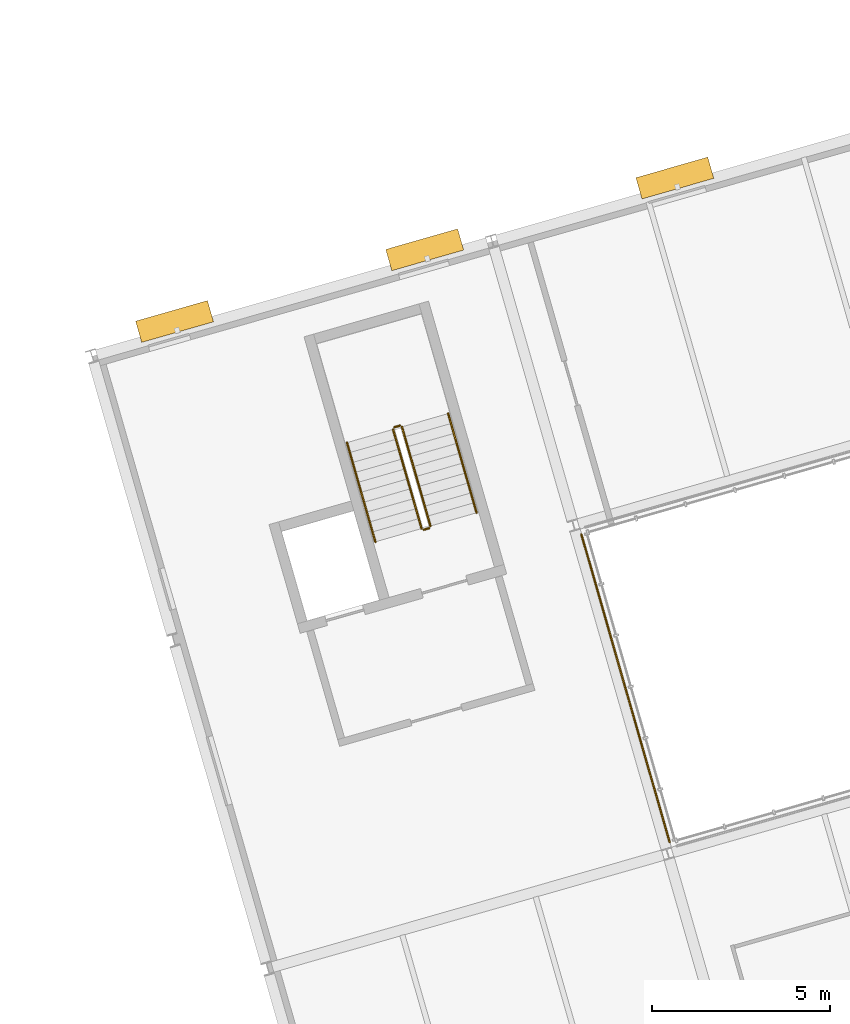
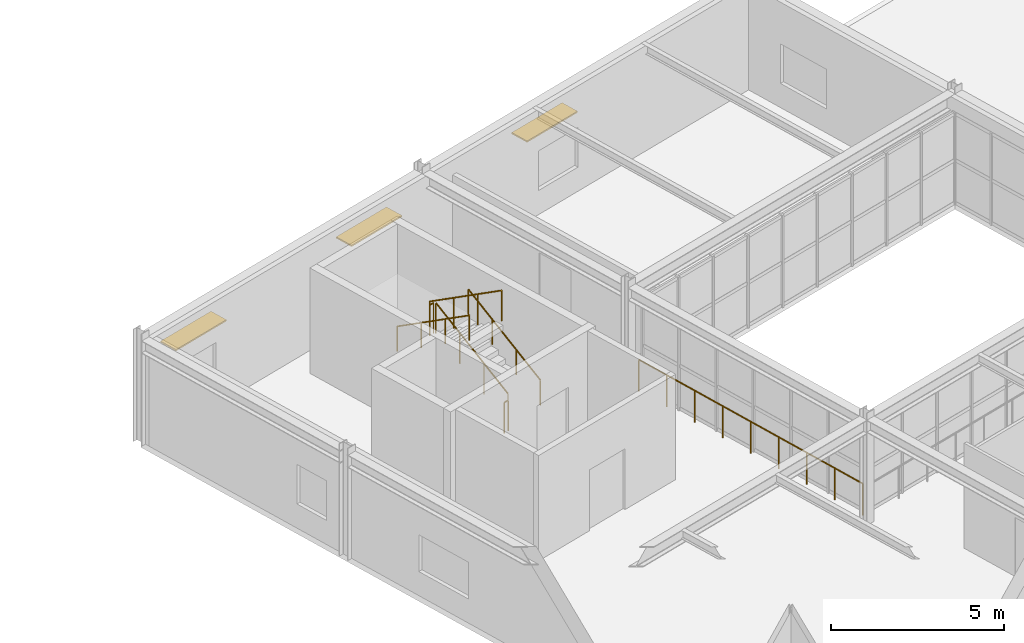
# One storey, part 40 of 44: 7 railings, 3 shading devices.
"""IFC4 building model written with IfcOpenShell, lengths in metres."""

import ifcopenshell
import ifcopenshell.guid

model = None  # the IFC model being written
_history = None  # IfcOwnerHistory: only IFC2X3 demands one
_inside = {}  # id of a spatial element -> (the spatial element, [elements in it])
_under = {}  # id of a project, library or spatial element -> (it, [spatial elements below it])
_declared = {}  # id of a project -> (the project, [libraries it declares])
_typed = {}  # id of a type object -> (the type object, [elements of that type])
_made_of = {}  # id of a material, layer set ... -> (it, [elements and type objects made of it])


def new_model(schema):
    """Start an empty IFC model of exactly this schema.

    Asked for "IFC4X3", IfcOpenShell would pick the latest addendum, in which some entities
    have other attributes; the version numbers below select the first issue.
    IFC2X3 requires an IfcOwnerHistory on every rooted entity: one is made here for all.
    """
    global model, _history
    if schema == "IFC4X3":
        model = ifcopenshell.file(schema_version=(4, 3, 0, 0))
    else:
        model = ifcopenshell.file(schema=schema)
    _inside.clear()
    _under.clear()
    _declared.clear()
    _typed.clear()
    _made_of.clear()
    _history = None
    if model.schema == "IFC2X3":
        org = make("IfcOrganization", Name="unknown")
        user = make(
            "IfcPersonAndOrganization",
            ThePerson=make("IfcPerson", FamilyName="unknown"),
            TheOrganization=org,
        )
        app = make(
            "IfcApplication",
            ApplicationDeveloper=org,
            Version="unknown",
            ApplicationFullName="unknown",
            ApplicationIdentifier="unknown",
        )
        _history = make(
            "IfcOwnerHistory",
            OwningUser=user,
            OwningApplication=app,
            ChangeAction="ADDED",
            CreationDate=0,
        )
    return model


def make(cls, **values):
    """One entity of the class cls with the attributes given. An attribute that is None is left unset."""
    return model.create_entity(
        cls, **{name: value for name, value in values.items() if value is not None}
    )


def rooted(cls, **values):
    """An entity with a GlobalId (a new one), such as an element, a storey or a relation."""
    return make(cls, GlobalId=ifcopenshell.guid.new(), OwnerHistory=_history, **values)


def si_unit(unit_type, name, prefix=None):
    """IfcSIUnit, for example si_unit("LENGTHUNIT", "METRE", prefix="MILLI")."""
    return make("IfcSIUnit", UnitType=unit_type, Prefix=prefix, Name=name)


def assignment(units):
    """IfcUnitAssignment: the units of a project."""
    return None if units is None else make("IfcUnitAssignment", Units=units)


def point(xyz):
    """IfcCartesianPoint."""
    return None if xyz is None else make("IfcCartesianPoint", Coordinates=xyz)


def direction(xyz):
    """IfcDirection."""
    return None if xyz is None else make("IfcDirection", DirectionRatios=xyz)


def frame(location, z_axis=None, x_axis=None):
    """IfcAxis2Placement3D, a coordinate frame: its origin and axes. An axis left out is left unset."""
    return make(
        "IfcAxis2Placement3D",
        Location=point(location),
        Axis=direction(z_axis),
        RefDirection=direction(x_axis),
    )


def frame_2d(location, x_axis=None):
    """IfcAxis2Placement2D, a coordinate frame in the plane: its origin and x axis."""
    return make(
        "IfcAxis2Placement2D", Location=point(location), RefDirection=direction(x_axis)
    )


def origin():
    """The frame at (0, 0, 0) with its axes left unset."""
    return frame((0.0, 0.0, 0.0))


def origin_2d():
    """The frame at (0, 0) in the plane with its x axis left unset."""
    return frame_2d((0.0, 0.0))


def place(relative_to, where):
    """IfcLocalPlacement: puts the frame where relative to a parent placement (None: the world)."""
    return make(
        "IfcLocalPlacement", PlacementRelTo=relative_to, RelativePlacement=where
    )


def context(
    kind, dimensions, precision=None, world=None, true_north=None, identifier=None
):
    """IfcGeometricRepresentationContext, for example the 3D "Model" context."""
    return make(
        "IfcGeometricRepresentationContext",
        ContextIdentifier=identifier,
        ContextType=kind,
        CoordinateSpaceDimension=dimensions,
        Precision=precision,
        WorldCoordinateSystem=world,
        TrueNorth=true_north,
    )


def subcontext(parent, identifier, kind, view, scale=None):
    """IfcGeometricRepresentationSubContext, for example "Body" below "Model"."""
    return make(
        "IfcGeometricRepresentationSubContext",
        ContextIdentifier=identifier,
        ContextType=kind,
        ParentContext=parent,
        TargetScale=scale,
        TargetView=view,
    )


def project(units=None, contexts=None):
    """IfcProject with its units and contexts."""
    return rooted(
        "IfcProject",
        Name="project",
        RepresentationContexts=contexts,
        UnitsInContext=assignment(units),
    )


def spatial(cls, under=None, at=None, **own):
    """A site, building, storey or space (cls), placed at a placement, below another one or the project."""
    s = rooted(cls, ObjectPlacement=at, **own)
    if under is not None:
        _under.setdefault(under.id(), (under, []))[1].append(s)
    return s


def profile(cls, at=None, kind="AREA", **sizes):
    """A parametric profile (cls). Its sizes go by their IFC names, for example OverallWidth=200.0."""
    return make(cls, ProfileType=kind, Position=at, **sizes)


def rectangle(**sizes):
    """IfcRectangleProfileDef."""
    return profile("IfcRectangleProfileDef", **sizes)


def circle(**sizes):
    """IfcCircleProfileDef."""
    return profile("IfcCircleProfileDef", **sizes)


def extrude(swept, where, along, depth):
    """IfcExtrudedAreaSolid: the profile swept, set in the frame where, extruded along a direction by depth."""
    return make(
        "IfcExtrudedAreaSolid",
        SweptArea=swept,
        Position=where,
        ExtrudedDirection=direction(along),
        Depth=depth,
    )


def shape(context_of_items, identifier, shape_type, items):
    """IfcShapeRepresentation: the items that make up one representation, for example the "Body"."""
    return make(
        "IfcShapeRepresentation",
        ContextOfItems=context_of_items,
        RepresentationIdentifier=identifier,
        RepresentationType=shape_type,
        Items=items,
    )


def material(Name=None, Category=None):
    """IfcMaterial."""
    return make("IfcMaterial", Name=Name, Category=Category)


def layer(
    of_material, thickness, ventilated=None, Name=None, Category=None, Priority=None
):
    """IfcMaterialLayer: one layer of a wall or slab, of a material (None: an air gap)."""
    return make(
        "IfcMaterialLayer",
        Material=of_material,
        LayerThickness=thickness,
        IsVentilated=ventilated,
        Name=Name,
        Category=Category,
        Priority=Priority,
    )


def layer_set(layers, Name=None):
    """IfcMaterialLayerSet."""
    return make("IfcMaterialLayerSet", MaterialLayers=layers, LayerSetName=Name)


def made_of(thing, what):
    """Note that an element or type object is made of a material, layer set ...; save() writes the relation."""
    if what is not None:
        _made_of.setdefault(what.id(), (what, []))[1].append(thing)
    return thing


def type_object(cls, material=None, **own):
    """A type object (cls), such as IfcWallType, which elements share."""
    return made_of(rooted(cls, **own), material)


def element(
    cls,
    number,
    at=None,
    inside=None,
    cuts=None,
    type_object=None,
    material=None,
    context=None,
    identifier="Body",
    shape_type=None,
    held_by="IfcProductDefinitionShape",
    body=None,
    shapes=None,
    **own,
):
    """One element of the class cls, such as IfcWall. Its Tag is "e" and its number.

    at: its placement. inside: the storey or other place that contains it. cuts: it is an
    opening in that element (IfcRelVoidsElement). A single representation is given by context,
    identifier, shape_type and body (its items); several are given by shapes. held_by: the class
    of the entity that holds the representations. save() writes the other relations.
    """
    e = rooted(cls, Tag="e%d" % number, ObjectPlacement=at, **own)
    if body is not None:
        shapes = [shape(context, identifier, shape_type, body)]
    if shapes is not None:
        e.Representation = make(held_by, Representations=shapes)
    if inside is not None:
        _inside.setdefault(inside.id(), (inside, []))[1].append(e)
    if cuts is not None:
        rooted(
            "IfcRelVoidsElement", RelatingBuildingElement=cuts, RelatedOpeningElement=e
        )
    if type_object is not None:
        _typed.setdefault(type_object.id(), (type_object, []))[1].append(e)
    return made_of(e, material)


def aggregate(whole, parts):
    """IfcRelAggregates: a whole, such as a stair, and the parts it consists of."""
    return rooted("IfcRelAggregates", RelatingObject=whole, RelatedObjects=parts)


def save(model, path):
    """Write the relations noted so far, then the file.

    IfcRelAggregates (storeys below a building ...), IfcRelContainedInSpatialStructure (elements
    in a storey), IfcRelDefinesByType, IfcRelAssociatesMaterial and IfcRelDeclares: one each for
    every whole, place, type object, material and project.
    """
    for whole, parts in _under.values():
        aggregate(whole, parts)
    for where, things in _inside.values():
        rooted(
            "IfcRelContainedInSpatialStructure",
            RelatedElements=things,
            RelatingStructure=where,
        )
    for kind, things in _typed.values():
        rooted("IfcRelDefinesByType", RelatedObjects=things, RelatingType=kind)
    for what, things in _made_of.values():
        rooted("IfcRelAssociatesMaterial", RelatedObjects=things, RelatingMaterial=what)
    for by, libraries in _declared.values():
        rooted("IfcRelDeclares", RelatingContext=by, RelatedDefinitions=libraries)
    model.write(path)


model = new_model("IFC4")

# Units and contexts
model_context = context("Model", 3, precision=1e-05, world=origin(), true_north=direction((0.0, 1.0)))
body_context = subcontext(model_context, "Body", "Model", "MODEL_VIEW")
ifc_project = project(units=[si_unit("LENGTHUNIT", "METRE"), si_unit("AREAUNIT", "SQUARE_METRE"), si_unit("VOLUMEUNIT", "CUBIC_METRE"), si_unit("PLANEANGLEUNIT", "RADIAN"), si_unit("MASSUNIT", "GRAM", prefix="KILO")], contexts=[model_context])

# Site, building, storey
site_placement = place(None, origin())
site = spatial("IfcSite", under=ifc_project, at=site_placement, CompositionType="ELEMENT")
building_placement = place(site_placement, origin())
building = spatial("IfcBuilding", under=site, at=building_placement, Name="Varnklinge Art Gallery", CompositionType="ELEMENT")
storey_placement = place(building_placement, frame((0.0, 0.0, 13.679931640625)))
storey = spatial("IfcBuildingStorey", under=building, at=storey_placement, Name="L03", CompositionType="ELEMENT", Elevation=13.679931640625)

# Railings
ifc_material_1 = material(Name="Anodised Aluminium", Category="aluminium")
railing_type_1 = type_object("IfcRailingType", Name="BAL-01", PredefinedType="BALUSTRADE", material=ifc_material_1)
railing_1_placement = place(storey_placement, frame((133.83837890625, 21.338623046875, 0.0)))
element("IfcRailing", 1, at=railing_1_placement, inside=storey, type_object=railing_type_1, Name="BAL-V6C-L03-4", PredefinedType="BALUSTRADE", context=body_context, shape_type="SweptSolid", body=[
    extrude(circle(Radius=0.02392578125, at=origin_2d()), frame((0.0, 0.0, 1.11572265625), z_axis=(-0.275634611374, 0.96126248289, 0.0), x_axis=(-0.96126248289, -0.275634611374, 0.0)), (0.0, 0.0, 1.0), 9.0),
    extrude(circle(Radius=0.02099609375, at=origin_2d()), origin(), (0.0, 0.0, 1.0), 1.091796875),
    extrude(circle(Radius=0.02099609375, at=origin_2d()), frame((-0.31005859375, 1.08154296875, 0.0)), (0.0, 0.0, 1.0), 1.091796875),
    extrude(circle(Radius=0.02099609375, at=origin_2d()), frame((-0.6201171875, 2.162841796875, 0.0)), (0.0, 0.0, 1.0), 1.091796875),
    extrude(circle(Radius=0.02099609375, at=origin_2d()), frame((-0.93017578125, 3.244140625, 0.0)), (0.0, 0.0, 1.0), 1.091796875),
    extrude(circle(Radius=0.02099609375, at=origin_2d()), frame((-1.240234375, 4.32568359375, 0.0)), (0.0, 0.0, 1.0), 1.091796875),
    extrude(circle(Radius=0.02099609375, at=origin_2d()), frame((-1.550537109375, 5.4072265625, 0.0)), (0.0, 0.0, 1.0), 1.091796875),
    extrude(circle(Radius=0.02099609375, at=origin_2d()), frame((-1.860595703125, 6.488525390625, 0.0)), (0.0, 0.0, 1.0), 1.091796875),
    extrude(circle(Radius=0.02099609375, at=origin_2d()), frame((-2.170654296875, 7.56982421875, 0.0)), (0.0, 0.0, 1.0), 1.091796875),
    extrude(circle(Radius=0.02099609375, at=origin_2d()), frame((-2.480712890625, 8.6513671875, 0.0)), (0.0, 0.0, 1.0), 1.091796875),
])
ifc_material_2 = material(Name="Steel S355", Category="steel")
railing_type_2 = type_object("IfcRailingType", Name="GR-INT", PredefinedType="GUARDRAIL", material=ifc_material_2)
railing_2_placement = place(storey_placement, frame((127.11669921875, 30.222412109375, 0.18017578125)))
element("IfcRailing", 2, at=railing_2_placement, inside=storey, type_object=railing_type_2, Name="L03 ST-05 stair guard 1", PredefinedType="GUARDRAIL", context=body_context, shape_type="SweptSolid", body=[
    extrude(circle(Radius=0.02392578125, at=origin_2d()), frame((0.0, 0.0, 1.076171875), z_axis=(-0.23419422844, 0.816747006821, 0.527330437405), x_axis=(-0.961263007877, -0.275632780503, 0.0)), (0.0, 0.0, 1.0), 3.4130859375),
    extrude(circle(Radius=0.02099609375, at=origin_2d()), origin(), (0.0, 0.0, 1.0), 1.052001953125),
    extrude(circle(Radius=0.02099609375, at=origin_2d()), frame((-0.266357421875, 0.92919921875, 0.599853515625)), (0.0, 0.0, 1.0), 1.052001953125),
    extrude(circle(Radius=0.02099609375, at=origin_2d()), frame((-0.532958984375, 1.8583984375, 1.199951171875)), (0.0, 0.0, 1.0), 1.052001953125),
    extrude(circle(Radius=0.02099609375, at=origin_2d()), frame((-0.79931640625, 2.78759765625, 1.7998046875)), (0.0, 0.0, 1.0), 1.052001953125),
])
railing_3_placement = place(storey_placement, frame((126.255615234375, 33.044189453125, 1.97998046875)))
element("IfcRailing", 3, at=railing_3_placement, inside=storey, type_object=railing_type_2, Name="L03 ST-05 stair guard 2", PredefinedType="GUARDRAIL", context=body_context, shape_type="SweptSolid", body=[
    extrude(circle(Radius=0.02392578125, at=origin_2d()), frame((0.0, 0.0, 1.076171875), z_axis=(-0.961523947641, -0.274721127897, 0.0), x_axis=(0.274721127897, -0.961523947641, 0.0)), (0.0, 0.0, 1.0), 0.159912109375),
    extrude(circle(Radius=0.02099609375, at=origin_2d()), origin(), (0.0, 0.0, 1.0), 1.052001953125),
    extrude(circle(Radius=0.02099609375, at=origin_2d()), frame((-0.15380859375, -0.0439453125, 0.0)), (0.0, 0.0, 1.0), 1.052001953125),
])
railing_4_placement = place(storey_placement, frame((126.067626953125, 32.938232421875, 2.16015625)))
element("IfcRailing", 4, at=railing_4_placement, inside=storey, type_object=railing_type_2, Name="L03 ST-05 stair guard 3", PredefinedType="GUARDRAIL", context=body_context, shape_type="SweptSolid", body=[
    extrude(circle(Radius=0.02392578125, at=origin_2d()), frame((0.0, 0.0, 1.076171875), z_axis=(0.23419422844, -0.816747006821, 0.527330437405), x_axis=(0.961263007877, 0.275632780503, 0.0)), (0.0, 0.0, 1.0), 3.4130859375),
    extrude(circle(Radius=0.02099609375, at=origin_2d()), origin(), (0.0, 0.0, 1.0), 1.052001953125),
    extrude(circle(Radius=0.02099609375, at=origin_2d()), frame((0.266357421875, -0.92919921875, 0.599853515625)), (0.0, 0.0, 1.0), 1.052001953125),
    extrude(circle(Radius=0.02099609375, at=origin_2d()), frame((0.532958984375, -1.8583984375, 1.199951171875)), (0.0, 0.0, 1.0), 1.052001953125),
    extrude(circle(Radius=0.02099609375, at=origin_2d()), frame((0.79931640625, -2.78759765625, 1.7998046875)), (0.0, 0.0, 1.0), 1.052001953125),
])
railing_5_placement = place(storey_placement, frame((127.08251953125, 30.160400390625, 0.0)))
element("IfcRailing", 5, at=railing_5_placement, inside=storey, type_object=railing_type_2, Name="L03 ST-05 stair guard 4", PredefinedType="GUARDRAIL", context=body_context, shape_type="SweptSolid", body=[
    extrude(circle(Radius=0.02392578125, at=origin_2d()), frame((0.0, 0.0, 1.076171875), z_axis=(-0.961523947641, -0.274721127897, 0.0), x_axis=(0.274721127897, -0.961523947641, 0.0)), (0.0, 0.0, 1.0), 0.159912109375),
    extrude(circle(Radius=0.02099609375, at=origin_2d()), origin(), (0.0, 0.0, 1.0), 1.052001953125),
    extrude(circle(Radius=0.02099609375, at=origin_2d()), frame((-0.15380859375, -0.0439453125, 0.0)), (0.0, 0.0, 1.0), 1.052001953125),
])
ifc_material_3 = material(Name="Steel S355", Category="steel")
railing_type_3 = type_object("IfcRailingType", Name="HR-01", PredefinedType="HANDRAIL", material=ifc_material_3)
railing_6_placement = place(storey_placement, frame((128.41455078125, 30.594482421875, 0.18017578125)))
element("IfcRailing", 6, at=railing_6_placement, inside=storey, type_object=railing_type_3, Name="L03 ST-05 stair handrail 1", PredefinedType="HANDRAIL", context=body_context, shape_type="SweptSolid", body=[
    extrude(circle(Radius=0.02392578125, at=origin_2d()), frame((0.0, 0.0, 0.8759765625), z_axis=(-0.23419422844, 0.816747006821, 0.527330437405), x_axis=(-0.961263007877, -0.275632780503, 0.0)), (0.0, 0.0, 1.0), 3.4130859375),
    extrude(circle(Radius=0.02099609375, at=origin_2d()), origin(), (0.0, 0.0, 1.0), 0.851806640625),
    extrude(circle(Radius=0.02099609375, at=origin_2d()), frame((-0.266357421875, 0.92919921875, 0.599853515625)), (0.0, 0.0, 1.0), 0.851806640625),
    extrude(circle(Radius=0.02099609375, at=origin_2d()), frame((-0.532958984375, 1.8583984375, 1.199951171875)), (0.0, 0.0, 1.0), 0.851806640625),
    extrude(circle(Radius=0.02099609375, at=origin_2d()), frame((-0.79931640625, 2.78759765625, 1.7998046875)), (0.0, 0.0, 1.0), 0.851806640625),
])
railing_7_placement = place(storey_placement, frame((124.769775390625, 32.566162109375, 2.16015625)))
element("IfcRailing", 7, at=railing_7_placement, inside=storey, type_object=railing_type_3, Name="L03 ST-05 stair handrail 2", PredefinedType="HANDRAIL", context=body_context, shape_type="SweptSolid", body=[
    extrude(circle(Radius=0.02392578125, at=origin_2d()), frame((0.0, 0.0, 0.8759765625), z_axis=(0.23419422844, -0.816747006821, 0.527330437405), x_axis=(0.961263007877, 0.275632780503, 0.0)), (0.0, 0.0, 1.0), 3.4130859375),
    extrude(circle(Radius=0.02099609375, at=origin_2d()), origin(), (0.0, 0.0, 1.0), 0.851806640625),
    extrude(circle(Radius=0.02099609375, at=origin_2d()), frame((0.266357421875, -0.92919921875, 0.599853515625)), (0.0, 0.0, 1.0), 0.851806640625),
    extrude(circle(Radius=0.02099609375, at=origin_2d()), frame((0.532958984375, -1.8583984375, 1.199951171875)), (0.0, 0.0, 1.0), 0.851806640625),
    extrude(circle(Radius=0.02099609375, at=origin_2d()), frame((0.79931640625, -2.78759765625, 1.7998046875)), (0.0, 0.0, 1.0), 0.851806640625),
])

# Shading devices
ifc_material_4 = material(Name="Anodised Aluminium", Category="aluminium")
ifc_layer = layer(ifc_material_4, 0.044921875)
ifc_layer_set = layer_set([ifc_layer], Name="Anodised Aluminium")
shading_device_type = type_object("IfcShadingDeviceType", Name="SHD-FIN", PredefinedType="JALOUSIE", material=ifc_layer_set)
for number, where, z_axis, x_axis, name in (
    (8, (119.92626953125, 35.970703125, 2.47509765625), (0.0, 0.0, 1.0), (0.961261695938, 0.275637355817, 0.0), "L03 Studio Solar Brise-Soleil Fin EW-V6-L03-02.1"),
    (9, (126.956298828125, 37.986572265625, 2.47509765625), (0.0, 0.0, 1.0), (0.961261695938, 0.275637355817, 0.0), "L03 Studio Solar Brise-Soleil Fin EW-V6-L03-02.2"),
    (10, (133.986328125, 40.00244140625, 2.47509765625), (0.0, 0.0, 1.0), (0.961261695938, 0.275637355817, 0.0), "L03 Studio Solar Brise-Soleil Fin EW-V6-L03-02.3"),
):
    element("IfcShadingDevice", number, at=place(storey_placement, frame(where, z_axis=z_axis, x_axis=x_axis)), inside=storey, type_object=shading_device_type, Name=name, PredefinedType="JALOUSIE", context=body_context, shape_type="SweptSolid", body=[
        extrude(rectangle(XDim=2.10009765625, YDim=0.6201171875, at=origin_2d()), origin(), (0.0, 0.0, 1.0), 0.050048828125),
    ])

save(model, "model.ifc")
